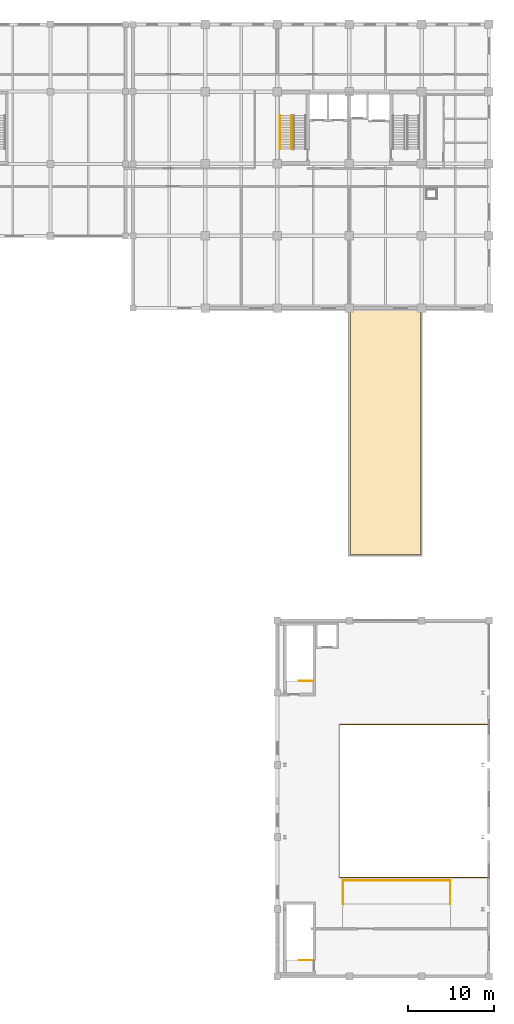
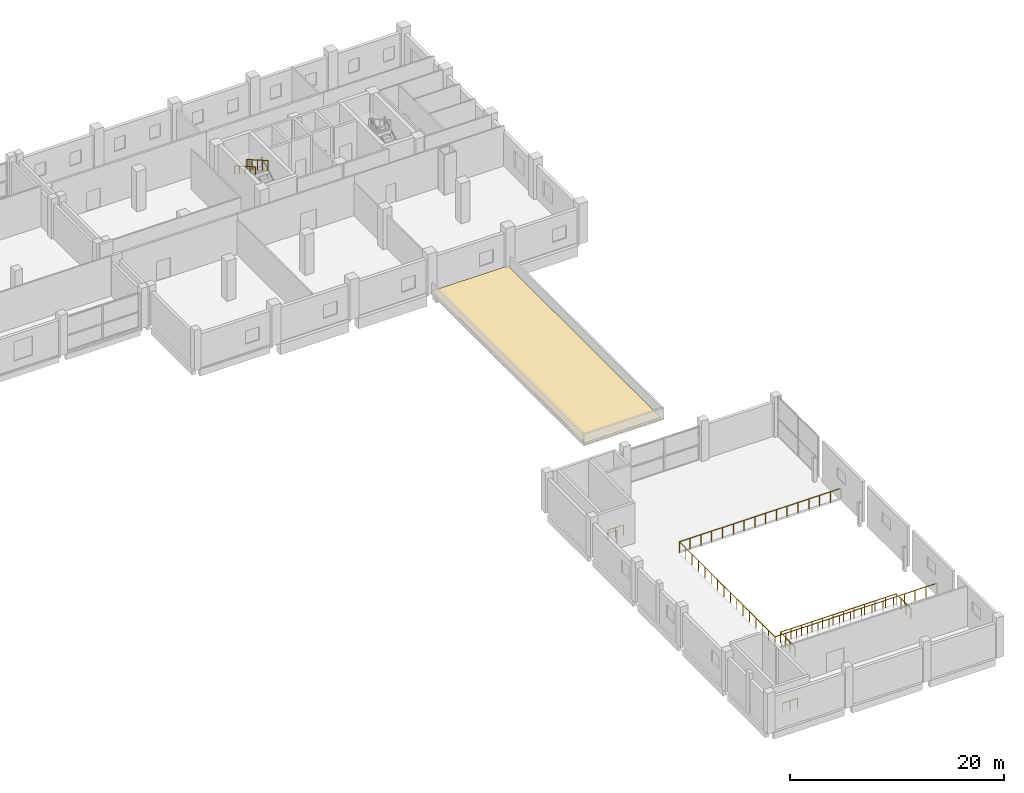
# One storey, part 30 of 31: 6 railings, 1 covering.
"""IFC4 building model written with IfcOpenShell, lengths in metres."""

from ifc_helpers import new_model, si_unit, direction, frame, origin, origin_2d, place, context, subcontext, project, spatial, polyline, circle, outline, extrude, material, layer, layer_set, type_object, element, save


model = new_model("IFC4")

# Units and contexts
model_context = context("Model", 3, precision=1e-05, world=origin(), true_north=direction((0.0, 1.0)))
body_context = subcontext(model_context, "Body", "Model", "MODEL_VIEW")
ifc_project = project(units=[si_unit("LENGTHUNIT", "METRE"), si_unit("AREAUNIT", "SQUARE_METRE"), si_unit("VOLUMEUNIT", "CUBIC_METRE"), si_unit("PLANEANGLEUNIT", "RADIAN"), si_unit("MASSUNIT", "GRAM", prefix="KILO")], contexts=[model_context])

# Site, building, storey
site_placement = place(None, origin())
site = spatial("IfcSite", under=ifc_project, at=site_placement, CompositionType="ELEMENT")
building_placement = place(site_placement, origin())
building = spatial("IfcBuilding", under=site, at=building_placement, Name="Brinegate Botanical Conservatory", CompositionType="ELEMENT")
storey_placement = place(building_placement, frame((0.0, 0.0, 5.39990234375)))
storey = spatial("IfcBuildingStorey", under=building, at=storey_placement, Name="L02", CompositionType="ELEMENT", Elevation=5.39990234375)

# Covering
ifc_material_1 = material(Name="Thermoplastic polyolefin waterproofing membrane & rigid insulation", Category="membrane")
ifc_layer = layer(ifc_material_1, 0.02490234375, Name="Thermoplastic polyolefin waterproofing membrane & rigid insulation", Category="membrane")
ifc_layer_set = layer_set([ifc_layer], Name="Thermoplastic polyolefin waterproofing membrane & rigid insulation")
covering_type = type_object("IfcCoveringType", Name="Cov_ROF-MEM", PredefinedType="ROOFING", material=ifc_layer_set)
covering_placement = place(storey_placement, origin())
element("IfcCovering", 1, at=covering_placement, inside=storey, type_object=covering_type, Name="Ramp portal roof membrane", PredefinedType="ROOFING", context=body_context, shape_type="SweptSolid", body=[
    extrude(outline(polyline([(147.300048828125, 49.699951171875), (155.5, 49.699951171875), (155.5, 78.199951171875), (147.300048828125, 78.199951171875), (147.300048828125, 49.699951171875)])), origin(), (0.0, 0.0, 1.0), 0.025146484375),
])

# Railings
ifc_material_2 = material(Name="Structural steel Q355B / S355 and laminated glass balustrade", Category="steel")
railing_type_1 = type_object("IfcRailingType", Name="Rail_INT-BAL", PredefinedType="BALUSTRADE", material=ifc_material_2)
railing_1_placement = place(storey_placement, frame((163.5, 12.080078125, 0.0)))
element("IfcRailing", 2, at=railing_1_placement, inside=storey, type_object=railing_type_1, Name="Auditorium L02 upper concourse void balustrade", PredefinedType="BALUSTRADE", context=body_context, shape_type="SweptSolid", body=[
    extrude(circle(Radius=0.02392578125, at=origin_2d()), frame((0.0, 0.0, 1.17578125), z_axis=(-1.0, 0.0, 0.0), x_axis=(0.0, -1.0, 0.0)), (0.0, 0.0, 1.0), 17.419921875),
    extrude(circle(Radius=0.02392578125, at=origin_2d()), frame((-17.419921875, 0.0, 1.17578125), z_axis=(0.0, 1.0, 0.0), x_axis=(-1.0, 0.0, 0.0)), (0.0, 0.0, 1.0), 17.83984375),
    extrude(circle(Radius=0.02392578125, at=origin_2d()), frame((-17.419921875, 17.83984375, 1.17578125), z_axis=(1.0, 0.0, 0.0), x_axis=(0.0, 1.0, 0.0)), (0.0, 0.0, 1.0), 17.419921875),
    extrude(circle(Radius=0.02099609375, at=origin_2d()), origin(), (0.0, 0.0, 1.0), 1.15185546875),
    extrude(circle(Radius=0.02099609375, at=origin_2d()), frame((-1.161376953125, 0.0, 0.0)), (0.0, 0.0, 1.0), 1.15185546875),
    extrude(circle(Radius=0.02099609375, at=origin_2d()), frame((-2.32275390625, 0.0, 0.0)), (0.0, 0.0, 1.0), 1.15185546875),
    extrude(circle(Radius=0.02099609375, at=origin_2d()), frame((-3.48388671875, 0.0, 0.0)), (0.0, 0.0, 1.0), 1.15185546875),
    extrude(circle(Radius=0.02099609375, at=origin_2d()), frame((-4.645263671875, 0.0, 0.0)), (0.0, 0.0, 1.0), 1.15185546875),
    extrude(circle(Radius=0.02099609375, at=origin_2d()), frame((-5.806640625, 0.0, 0.0)), (0.0, 0.0, 1.0), 1.15185546875),
    extrude(circle(Radius=0.02099609375, at=origin_2d()), frame((-6.968017578125, 0.0, 0.0)), (0.0, 0.0, 1.0), 1.15185546875),
    extrude(circle(Radius=0.02099609375, at=origin_2d()), frame((-8.12939453125, 0.0, 0.0)), (0.0, 0.0, 1.0), 1.15185546875),
    extrude(circle(Radius=0.02099609375, at=origin_2d()), frame((-9.29052734375, 0.0, 0.0)), (0.0, 0.0, 1.0), 1.15185546875),
    extrude(circle(Radius=0.02099609375, at=origin_2d()), frame((-10.451904296875, 0.0, 0.0)), (0.0, 0.0, 1.0), 1.15185546875),
    extrude(circle(Radius=0.02099609375, at=origin_2d()), frame((-11.61328125, 0.0, 0.0)), (0.0, 0.0, 1.0), 1.15185546875),
    extrude(circle(Radius=0.02099609375, at=origin_2d()), frame((-12.774658203125, 0.0, 0.0)), (0.0, 0.0, 1.0), 1.15185546875),
    extrude(circle(Radius=0.02099609375, at=origin_2d()), frame((-13.93603515625, 0.0, 0.0)), (0.0, 0.0, 1.0), 1.15185546875),
    extrude(circle(Radius=0.02099609375, at=origin_2d()), frame((-15.09716796875, 0.0, 0.0)), (0.0, 0.0, 1.0), 1.15185546875),
    extrude(circle(Radius=0.02099609375, at=origin_2d()), frame((-16.258544921875, 0.0, 0.0)), (0.0, 0.0, 1.0), 1.15185546875),
    extrude(circle(Radius=0.02099609375, at=origin_2d()), frame((-17.419921875, 0.0, 0.0)), (0.0, 0.0, 1.0), 1.15185546875),
    extrude(circle(Radius=0.02099609375, at=origin_2d()), frame((-17.419921875, 1.189208984375, 0.0)), (0.0, 0.0, 1.0), 1.15185546875),
    extrude(circle(Radius=0.02099609375, at=origin_2d()), frame((-17.419921875, 2.378662109375, 0.0)), (0.0, 0.0, 1.0), 1.15185546875),
    extrude(circle(Radius=0.02099609375, at=origin_2d()), frame((-17.419921875, 3.56787109375, 0.0)), (0.0, 0.0, 1.0), 1.15185546875),
    extrude(circle(Radius=0.02099609375, at=origin_2d()), frame((-17.419921875, 4.75732421875, 0.0)), (0.0, 0.0, 1.0), 1.15185546875),
    extrude(circle(Radius=0.02099609375, at=origin_2d()), frame((-17.419921875, 5.946533203125, 0.0)), (0.0, 0.0, 1.0), 1.15185546875),
    extrude(circle(Radius=0.02099609375, at=origin_2d()), frame((-17.419921875, 7.135986328125, 0.0)), (0.0, 0.0, 1.0), 1.15185546875),
    extrude(circle(Radius=0.02099609375, at=origin_2d()), frame((-17.419921875, 8.3251953125, 0.0)), (0.0, 0.0, 1.0), 1.15185546875),
    extrude(circle(Radius=0.02099609375, at=origin_2d()), frame((-17.419921875, 9.5146484375, 0.0)), (0.0, 0.0, 1.0), 1.15185546875),
    extrude(circle(Radius=0.02099609375, at=origin_2d()), frame((-17.419921875, 10.703857421875, 0.0)), (0.0, 0.0, 1.0), 1.15185546875),
    extrude(circle(Radius=0.02099609375, at=origin_2d()), frame((-17.419921875, 11.893310546875, 0.0)), (0.0, 0.0, 1.0), 1.15185546875),
    extrude(circle(Radius=0.02099609375, at=origin_2d()), frame((-17.419921875, 13.08251953125, 0.0)), (0.0, 0.0, 1.0), 1.15185546875),
    extrude(circle(Radius=0.02099609375, at=origin_2d()), frame((-17.419921875, 14.27197265625, 0.0)), (0.0, 0.0, 1.0), 1.15185546875),
    extrude(circle(Radius=0.02099609375, at=origin_2d()), frame((-17.419921875, 15.461181640625, 0.0)), (0.0, 0.0, 1.0), 1.15185546875),
    extrude(circle(Radius=0.02099609375, at=origin_2d()), frame((-17.419921875, 16.650634765625, 0.0)), (0.0, 0.0, 1.0), 1.15185546875),
    extrude(circle(Radius=0.02099609375, at=origin_2d()), frame((-17.419921875, 17.83984375, 0.0)), (0.0, 0.0, 1.0), 1.15185546875),
    extrude(circle(Radius=0.02099609375, at=origin_2d()), frame((-16.258544921875, 17.83984375, 0.0)), (0.0, 0.0, 1.0), 1.15185546875),
    extrude(circle(Radius=0.02099609375, at=origin_2d()), frame((-15.09716796875, 17.83984375, 0.0)), (0.0, 0.0, 1.0), 1.15185546875),
    extrude(circle(Radius=0.02099609375, at=origin_2d()), frame((-13.93603515625, 17.83984375, 0.0)), (0.0, 0.0, 1.0), 1.15185546875),
    extrude(circle(Radius=0.02099609375, at=origin_2d()), frame((-12.774658203125, 17.83984375, 0.0)), (0.0, 0.0, 1.0), 1.15185546875),
    extrude(circle(Radius=0.02099609375, at=origin_2d()), frame((-11.61328125, 17.83984375, 0.0)), (0.0, 0.0, 1.0), 1.15185546875),
    extrude(circle(Radius=0.02099609375, at=origin_2d()), frame((-10.451904296875, 17.83984375, 0.0)), (0.0, 0.0, 1.0), 1.15185546875),
    extrude(circle(Radius=0.02099609375, at=origin_2d()), frame((-9.29052734375, 17.83984375, 0.0)), (0.0, 0.0, 1.0), 1.15185546875),
    extrude(circle(Radius=0.02099609375, at=origin_2d()), frame((-8.12939453125, 17.83984375, 0.0)), (0.0, 0.0, 1.0), 1.15185546875),
    extrude(circle(Radius=0.02099609375, at=origin_2d()), frame((-6.968017578125, 17.83984375, 0.0)), (0.0, 0.0, 1.0), 1.15185546875),
    extrude(circle(Radius=0.02099609375, at=origin_2d()), frame((-5.806640625, 17.83984375, 0.0)), (0.0, 0.0, 1.0), 1.15185546875),
    extrude(circle(Radius=0.02099609375, at=origin_2d()), frame((-4.645263671875, 17.83984375, 0.0)), (0.0, 0.0, 1.0), 1.15185546875),
    extrude(circle(Radius=0.02099609375, at=origin_2d()), frame((-3.48388671875, 17.83984375, 0.0)), (0.0, 0.0, 1.0), 1.15185546875),
    extrude(circle(Radius=0.02099609375, at=origin_2d()), frame((-2.32275390625, 17.83984375, 0.0)), (0.0, 0.0, 1.0), 1.15185546875),
    extrude(circle(Radius=0.02099609375, at=origin_2d()), frame((-1.161376953125, 17.83984375, 0.0)), (0.0, 0.0, 1.0), 1.15185546875),
    extrude(circle(Radius=0.02099609375, at=origin_2d()), frame((0.0, 17.83984375, 0.0)), (0.0, 0.0, 1.0), 1.15185546875),
])
railing_2_placement = place(storey_placement, frame((146.4599609375, 9.0, 0.60009765625)))
element("IfcRailing", 3, at=railing_2_placement, inside=storey, type_object=railing_type_1, Name="Auditorium upper seating tier 2 front and side balustrade", PredefinedType="BALUSTRADE", context=body_context, shape_type="SweptSolid", body=[
    extrude(circle(Radius=0.02392578125, at=origin_2d()), frame((0.0, 0.0, 1.17578125), z_axis=(0.0, 1.0, 0.0), x_axis=(-1.0, 0.0, 0.0)), (0.0, 0.0, 1.0), 2.739990234375),
    extrude(circle(Radius=0.02392578125, at=origin_2d()), frame((0.0, 2.739990234375, 1.17578125), z_axis=(1.0, 0.0, 0.0), x_axis=(0.0, 1.0, 0.0)), (0.0, 0.0, 1.0), 12.47998046875),
    extrude(circle(Radius=0.02392578125, at=origin_2d()), frame((12.47998046875, 2.739990234375, 1.17578125), z_axis=(0.0, -1.0, 0.0), x_axis=(1.0, 0.0, 0.0)), (0.0, 0.0, 1.0), 2.739990234375),
    extrude(circle(Radius=0.02099609375, at=origin_2d()), origin(), (0.0, 0.0, 1.0), 1.15185546875),
    extrude(circle(Radius=0.02099609375, at=origin_2d()), frame((0.0, 0.913330078125, 0.0)), (0.0, 0.0, 1.0), 1.15185546875),
    extrude(circle(Radius=0.02099609375, at=origin_2d()), frame((0.0, 1.82666015625, 0.0)), (0.0, 0.0, 1.0), 1.15185546875),
    extrude(circle(Radius=0.02099609375, at=origin_2d()), frame((0.0, 2.739990234375, 0.0)), (0.0, 0.0, 1.0), 1.15185546875),
    extrude(circle(Radius=0.02099609375, at=origin_2d()), frame((1.134521484375, 2.739990234375, 0.0)), (0.0, 0.0, 1.0), 1.15185546875),
    extrude(circle(Radius=0.02099609375, at=origin_2d()), frame((2.26904296875, 2.739990234375, 0.0)), (0.0, 0.0, 1.0), 1.15185546875),
    extrude(circle(Radius=0.02099609375, at=origin_2d()), frame((3.403564453125, 2.739990234375, 0.0)), (0.0, 0.0, 1.0), 1.15185546875),
    extrude(circle(Radius=0.02099609375, at=origin_2d()), frame((4.5380859375, 2.739990234375, 0.0)), (0.0, 0.0, 1.0), 1.15185546875),
    extrude(circle(Radius=0.02099609375, at=origin_2d()), frame((5.672607421875, 2.739990234375, 0.0)), (0.0, 0.0, 1.0), 1.15185546875),
    extrude(circle(Radius=0.02099609375, at=origin_2d()), frame((6.807373046875, 2.739990234375, 0.0)), (0.0, 0.0, 1.0), 1.15185546875),
    extrude(circle(Radius=0.02099609375, at=origin_2d()), frame((7.94189453125, 2.739990234375, 0.0)), (0.0, 0.0, 1.0), 1.15185546875),
    extrude(circle(Radius=0.02099609375, at=origin_2d()), frame((9.076416015625, 2.739990234375, 0.0)), (0.0, 0.0, 1.0), 1.15185546875),
    extrude(circle(Radius=0.02099609375, at=origin_2d()), frame((10.2109375, 2.739990234375, 0.0)), (0.0, 0.0, 1.0), 1.15185546875),
    extrude(circle(Radius=0.02099609375, at=origin_2d()), frame((11.345458984375, 2.739990234375, 0.0)), (0.0, 0.0, 1.0), 1.15185546875),
    extrude(circle(Radius=0.02099609375, at=origin_2d()), frame((12.47998046875, 2.739990234375, 0.0)), (0.0, 0.0, 1.0), 1.15185546875),
    extrude(circle(Radius=0.02099609375, at=origin_2d()), frame((12.47998046875, 1.82666015625, 0.0)), (0.0, 0.0, 1.0), 1.15185546875),
    extrude(circle(Radius=0.02099609375, at=origin_2d()), frame((12.47998046875, 0.913330078125, 0.0)), (0.0, 0.0, 1.0), 1.15185546875),
    extrude(circle(Radius=0.02099609375, at=origin_2d()), frame((12.47998046875, 0.0, 0.0)), (0.0, 0.0, 1.0), 1.15185546875),
])
ifc_material_3 = material(Name="Structural steel Q355B / S355 painted tubular guardrail", Category="steel")
railing_type_2 = type_object("IfcRailingType", Name="Rail_ST-GRD", PredefinedType="GUARDRAIL", material=ifc_material_3)
railing_3_placement = place(storey_placement, frame((140.449951171875, 100.820068359375, 2.56005859375)))
element("IfcRailing", 4, at=railing_3_placement, inside=storey, type_object=railing_type_2, Name="L02 ST1 stair guard 3", PredefinedType="GUARDRAIL", context=body_context, shape_type="SweptSolid", body=[
    extrude(circle(Radius=0.02392578125, at=origin_2d()), frame((0.0, 0.0, 1.1259765625), z_axis=(0.0, -0.86825312469, 0.496121468458), x_axis=(1.0, 0.0, 0.0)), (0.0, 0.0, 1.0), 4.514892578125),
    extrude(circle(Radius=0.02099609375, at=origin_2d()), origin(), (0.0, 0.0, 1.0), 1.101806640625),
    extrude(circle(Radius=0.02099609375, at=origin_2d()), frame((0.0, -0.97998046875, 0.56005859375)), (0.0, 0.0, 1.0), 1.101806640625),
    extrude(circle(Radius=0.02099609375, at=origin_2d()), frame((0.0, -1.9599609375, 1.1201171875)), (0.0, 0.0, 1.0), 1.101806640625),
    extrude(circle(Radius=0.02099609375, at=origin_2d()), frame((0.0, -2.940185546875, 1.679931640625)), (0.0, 0.0, 1.0), 1.101806640625),
    extrude(circle(Radius=0.02099609375, at=origin_2d()), frame((0.0, -3.920166015625, 2.239990234375)), (0.0, 0.0, 1.0), 1.101806640625),
])
for number, where, name in (
    (5, (142.949951171875, 34.949951171875, 0.0), "L02 ST5 top well guard 1"),
    (6, (142.949951171875, 2.449951171875, 0.0), "L02 ST6 top well guard 1"),
):
    element("IfcRailing", number, at=place(storey_placement, frame(where)), inside=storey, type_object=railing_type_2, Name=name, PredefinedType="GUARDRAIL", context=body_context, shape_type="SweptSolid", body=[
        extrude(circle(Radius=0.02392578125, at=origin_2d()), frame((0.0, 0.0, 1.1259765625), z_axis=(-1.0, 0.0, 0.0), x_axis=(0.0, -1.0, 0.0)), (0.0, 0.0, 1.0), 1.64990234375),
        extrude(circle(Radius=0.02099609375, at=origin_2d()), origin(), (0.0, 0.0, 1.0), 1.101806640625),
        extrude(circle(Radius=0.02099609375, at=origin_2d()), frame((-0.824951171875, 0.0, 0.0)), (0.0, 0.0, 1.0), 1.101806640625),
        extrude(circle(Radius=0.02099609375, at=origin_2d()), frame((-1.64990234375, 0.0, 0.0)), (0.0, 0.0, 1.0), 1.101806640625),
    ])
ifc_material_4 = material(Name="Brushed stainless steel S355 handrail", Category="steel")
railing_type_3 = type_object("IfcRailingType", Name="Rail_ST-HND", PredefinedType="HANDRAIL", material=ifc_material_4)
railing_4_placement = place(storey_placement, frame((139.10009765625, 100.820068359375, 2.56005859375)))
element("IfcRailing", 7, at=railing_4_placement, inside=storey, type_object=railing_type_3, Name="L02 ST1 stair handrail 2", PredefinedType="HANDRAIL", context=body_context, shape_type="SweptSolid", body=[
    extrude(circle(Radius=0.02392578125, at=origin_2d()), frame((0.0, 0.0, 0.8759765625), z_axis=(0.0, -0.86825312469, 0.496121468458), x_axis=(1.0, 0.0, 0.0)), (0.0, 0.0, 1.0), 4.514892578125),
    extrude(circle(Radius=0.02099609375, at=origin_2d()), origin(), (0.0, 0.0, 1.0), 0.851806640625),
    extrude(circle(Radius=0.02099609375, at=origin_2d()), frame((0.0, -0.97998046875, 0.56005859375)), (0.0, 0.0, 1.0), 0.851806640625),
    extrude(circle(Radius=0.02099609375, at=origin_2d()), frame((0.0, -1.9599609375, 1.1201171875)), (0.0, 0.0, 1.0), 0.851806640625),
    extrude(circle(Radius=0.02099609375, at=origin_2d()), frame((0.0, -2.940185546875, 1.679931640625)), (0.0, 0.0, 1.0), 0.851806640625),
    extrude(circle(Radius=0.02099609375, at=origin_2d()), frame((0.0, -3.920166015625, 2.239990234375)), (0.0, 0.0, 1.0), 0.851806640625),
])

save(model, "model.ifc")
